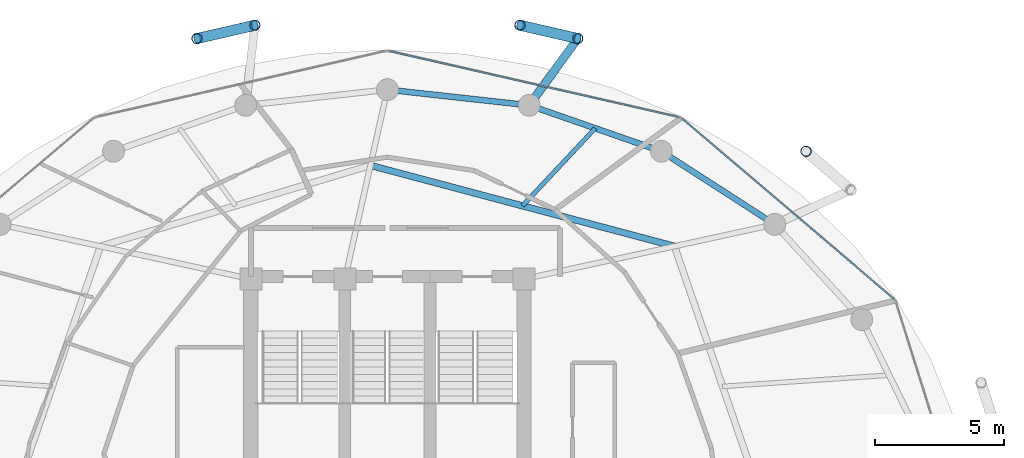
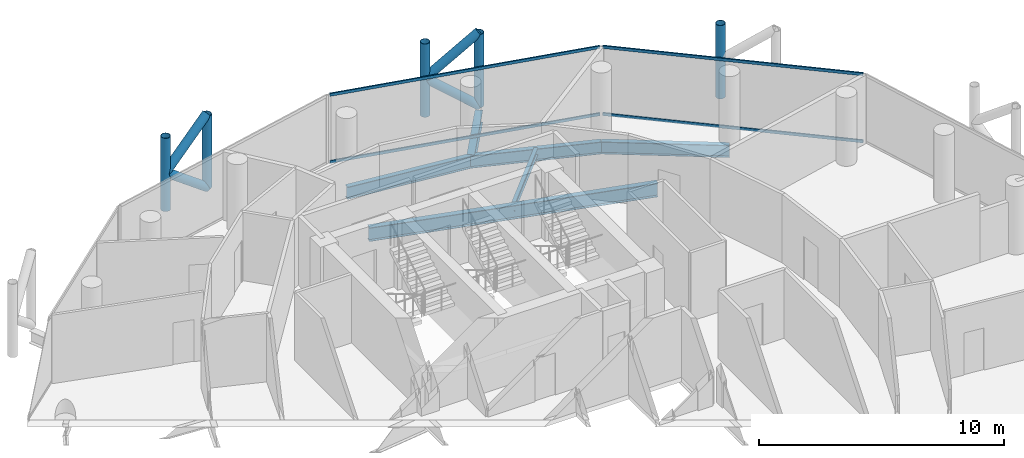
# One storey, part 20 of 27: 13 members, 6 beams, 2 elements without a shape of their own.
"""IFC4 building model written with IfcOpenShell, lengths in metres."""

from ifc_helpers import new_model, si_unit, direction, frame, origin, origin_2d, place, context, subcontext, project, spatial, hollow_rectangle, hollow_circle, i_section, extrude, material, layer, layer_set, material_profile, profile_set, type_object, element, aggregate, save


model = new_model("IFC4")

# Units and contexts
model_context = context("Model", 3, precision=1e-05, world=origin(), true_north=direction((0.0, 1.0)))
body_context = subcontext(model_context, "Body", "Model", "MODEL_VIEW")
ifc_project = project(units=[si_unit("LENGTHUNIT", "METRE"), si_unit("AREAUNIT", "SQUARE_METRE"), si_unit("VOLUMEUNIT", "CUBIC_METRE"), si_unit("PLANEANGLEUNIT", "RADIAN"), si_unit("MASSUNIT", "GRAM", prefix="KILO")], contexts=[model_context])

# Site, building, storey
site_placement = place(None, origin())
site = spatial("IfcSite", under=ifc_project, at=site_placement, CompositionType="ELEMENT")
building_placement = place(site_placement, origin())
building = spatial("IfcBuilding", under=site, at=building_placement, Name="Nuhasar Tower", CompositionType="ELEMENT")
storey_placement = place(building_placement, frame((0.0, 0.0, 226.39990234375)))
storey = spatial("IfcBuildingStorey", under=building, at=storey_placement, Name="L55", CompositionType="ELEMENT", Elevation=226.39990234375)

# Beams
ifc_material_1 = material(Name="Steel S355", Category="steel")
ifc_material_profile_1 = material_profile(ifc_material_1, i_section(OverallWidth=0.25390625, OverallDepth=0.68408203125, WebThickness=0.012451171875, FlangeThickness=0.018798828125, at=origin_2d()), Name="W27X94")
ifc_profile_set_1 = profile_set([ifc_material_profile_1], Name="Steel S355")
beam_type_1 = type_object("IfcBeamType", Name="BM-INRING-W27X94", PredefinedType="BEAM", material=ifc_profile_set_1)
beam_1_placement = place(storey_placement, frame((50.135986328125, 38.572998046875, -0.581787109375), z_axis=(-0.966410333243, 0.257004022929, 0.0), x_axis=(-0.257004022929, -0.966410333243, 0.0)))
element("IfcBeam", 1, at=beam_1_placement, inside=storey, type_object=beam_type_1, Name="L55 Inner Header Beam 05", PredefinedType="BEAM", context=body_context, shape_type="SweptSolid", body=[
    extrude(i_section(OverallWidth=0.25390625, OverallDepth=0.68408203125, WebThickness=0.012451171875, FlangeThickness=0.018798828125, at=origin_2d()), origin(), (0.0, 0.0, 1.0), 12.205810546875),
])
ifc_material_profile_2 = material_profile(ifc_material_1, i_section(OverallWidth=0.1708984375, OverallDepth=0.35205078125, WebThickness=0.0068359375, FlangeThickness=0.009765625, at=origin_2d()), Name="W14X30")
ifc_profile_set_2 = profile_set([ifc_material_profile_2], Name="Steel S355")
beam_type_2 = type_object("IfcBeamType", Name="BM-JST-W14X30", PredefinedType="JOIST", material=ifc_profile_set_2)
beam_2_placement = place(storey_placement, frame((44.238037109375, 40.14208984375, -0.416015625), z_axis=(0.684358245116, 0.729145933501, 0.0), x_axis=(-0.729145933501, 0.684358245116, 0.0)))
element("IfcBeam", 2, at=beam_2_placement, inside=storey, type_object=beam_type_2, Name="L55 Secondary Floor Joist 05", PredefinedType="JOIST", context=body_context, shape_type="SweptSolid", body=[
    extrude(i_section(OverallWidth=0.1708984375, OverallDepth=0.35205078125, WebThickness=0.0068359375, FlangeThickness=0.009765625, at=origin_2d()), origin(), (0.0, 0.0, 1.0), 4.12646484375),
])
ifc_material_profile_3 = material_profile(ifc_material_1, i_section(OverallWidth=0.22802734375, OverallDepth=0.60791015625, WebThickness=0.01123046875, FlangeThickness=0.017333984375, at=origin_2d()), Name="W24X76")
ifc_profile_set_3 = profile_set([ifc_material_profile_3], Name="Steel S355")
beam_type_3 = type_object("IfcBeamType", Name="BM-RING-W24X76", PredefinedType="SPANDREL", material=ifc_profile_set_3)
beam_3_placement = place(storey_placement, frame((54.02587890625, 39.422119140625, -0.5439453125), z_axis=(-0.840502144969, 0.541808217272, 0.0), x_axis=(-0.541808217272, -0.840502144969, 0.0)))
element("IfcBeam", 3, at=beam_3_placement, inside=storey, type_object=beam_type_3, Name="L55 Perimeter Ring Spandrel 04", PredefinedType="SPANDREL", context=body_context, shape_type="SweptSolid", body=[
    extrude(i_section(OverallWidth=0.22802734375, OverallDepth=0.60791015625, WebThickness=0.01123046875, FlangeThickness=0.017333984375, at=origin_2d()), origin(), (0.0, 0.0, 1.0), 5.236083984375),
])
beam_4_placement = place(storey_placement, frame((49.625, 42.259033203125, -0.5439453125), z_axis=(-0.944476764686, 0.328578211342, 0.0), x_axis=(-0.328578211342, -0.944476764686, 0.0)))
element("IfcBeam", 4, at=beam_4_placement, inside=storey, type_object=beam_type_3, Name="L55 Perimeter Ring Spandrel 05", PredefinedType="SPANDREL", context=body_context, shape_type="SweptSolid", body=[
    extrude(i_section(OverallWidth=0.22802734375, OverallDepth=0.60791015625, WebThickness=0.01123046875, FlangeThickness=0.017333984375, at=origin_2d()), origin(), (0.0, 0.0, 1.0), 5.42626953125),
])
beam_5_placement = place(storey_placement, frame((44.5, 44.0419921875, -0.5439453125), z_axis=(-0.993947060915, 0.109860093292, 0.0), x_axis=(-0.109860093292, -0.993947060915, 0.0)))
element("IfcBeam", 5, at=beam_5_placement, inside=storey, type_object=beam_type_3, Name="L55 Perimeter Ring Spandrel 06", PredefinedType="SPANDREL", context=body_context, shape_type="SweptSolid", body=[
    extrude(i_section(OverallWidth=0.22802734375, OverallDepth=0.60791015625, WebThickness=0.01123046875, FlangeThickness=0.017333984375, at=origin_2d()), origin(), (0.0, 0.0, 1.0), 5.533447265625),
])
ifc_material_profile_4 = material_profile(ifc_material_1, i_section(OverallWidth=0.323974609375, OverallDepth=0.611083984375, WebThickness=0.0126953125, FlangeThickness=0.01904296875, at=origin_2d()), Name="W24X104")
ifc_profile_set_4 = profile_set([ifc_material_profile_4], Name="Steel S355")
beam_type_4 = type_object("IfcBeamType", Name="BM-TIE-W24X104", PredefinedType="BEAM", material=ifc_profile_set_4)
beam_6_placement = place(storey_placement, frame((44.5, 44.0419921875, -0.544921875), z_axis=(0.588094663461, 0.808792103577, 0.0), x_axis=(-0.808792103577, 0.588094663461, 0.0)))
element("IfcBeam", 6, at=beam_6_placement, inside=storey, type_object=beam_type_4, Name="L55 Exoskeleton Node Tie Beam 03", PredefinedType="BEAM", context=body_context, shape_type="SweptSolid", body=[
    extrude(i_section(OverallWidth=0.323974609375, OverallDepth=0.611083984375, WebThickness=0.0126953125, FlangeThickness=0.01904296875, at=origin_2d()), origin(), (0.0, 0.0, 1.0), 3.20361328125),
])

# Curtain wall, members
ifc_material_2 = material(Name="Aluminium 6063-T6", Category="aluminium")
ifc_layer = layer(ifc_material_2, 0.18994140625)
ifc_layer_set = layer_set([ifc_layer], Name="Aluminium 6063-T6")
curtain_wall_type = type_object("IfcCurtainWallType", Name="CW-Z3-RES", PredefinedType="NOTDEFINED", material=ifc_layer_set)
curtain_wall_1_placement = place(storey_placement, origin())
curtain_wall_1 = element("IfcCurtainWall", 7, at=curtain_wall_1_placement, inside=storey, type_object=curtain_wall_type, Name="L55 Unitised Curtain Wall 02", PredefinedType="NOTDEFINED")
ifc_material_profile_5 = material_profile(ifc_material_2, hollow_rectangle(XDim=0.06494140625, YDim=0.139892578125, WallThickness=0.00439453125, at=origin_2d()), Name="CWT-4")
ifc_profile_set_5 = profile_set([ifc_material_profile_5], Name="Aluminium 6063-T6")
member_type_1 = type_object("IfcMemberType", Name="CW-TRN-S4", PredefinedType="USERDEFINED", material=ifc_profile_set_5)
member_1_placement = place(storey_placement, frame((58.661376953125, 36.522216796875, 0.03271484375), z_axis=(-0.761730809511, 0.647893643928, 0.0), x_axis=(-0.647893643928, -0.761730809511, 0.0)))
member_1 = element("IfcMember", 8, at=member_1_placement, type_object=member_type_1, Name="CW-Z3 transom 1.1", ObjectType="TRANSOM", PredefinedType="USERDEFINED", context=body_context, shape_type="SweptSolid", body=[
    extrude(hollow_rectangle(XDim=0.06494140625, YDim=0.139892578125, WallThickness=0.00439453125, at=origin_2d()), origin(), (0.0, 0.0, 1.0), 10.806884765625),
])
member_2_placement = place(storey_placement, frame((58.661376953125, 36.522216796875, 3.377685546875), z_axis=(-0.761730809511, 0.647893643928, 0.0), x_axis=(-0.647893643928, -0.761730809511, 0.0)))
member_2 = element("IfcMember", 9, at=member_2_placement, type_object=member_type_1, Name="CW-Z3 transom 1.2", ObjectType="TRANSOM", PredefinedType="USERDEFINED", context=body_context, shape_type="SweptSolid", body=[
    extrude(hollow_rectangle(XDim=0.06494140625, YDim=0.139892578125, WallThickness=0.00439453125, at=origin_2d()), origin(), (0.0, 0.0, 1.0), 10.806884765625),
])
aggregate(curtain_wall_1, [member_1, member_2])

curtain_wall_2_placement = place(storey_placement, origin())
curtain_wall_2 = element("IfcCurtainWall", 10, at=curtain_wall_2_placement, inside=storey, type_object=curtain_wall_type, Name="L55 Unitised Curtain Wall 03", PredefinedType="NOTDEFINED")
member_3_placement = place(storey_placement, frame((50.316650390625, 43.58056640625, 0.03271484375), z_axis=(-0.974994070913, 0.222230874732, 0.0), x_axis=(-0.222230874732, -0.974994070913, 0.0)))
member_3 = element("IfcMember", 11, at=member_3_placement, type_object=member_type_1, Name="CW-Z3 transom 1.1", ObjectType="TRANSOM", PredefinedType="USERDEFINED", context=body_context, shape_type="SweptSolid", body=[
    extrude(hollow_rectangle(XDim=0.06494140625, YDim=0.139892578125, WallThickness=0.00439453125, at=origin_2d()), origin(), (0.0, 0.0, 1.0), 11.541748046875),
])
member_4_placement = place(storey_placement, frame((50.316650390625, 43.58056640625, 3.377685546875), z_axis=(-0.974994070913, 0.222230874732, 0.0), x_axis=(-0.222230874732, -0.974994070913, 0.0)))
member_4 = element("IfcMember", 12, at=member_4_placement, type_object=member_type_1, Name="CW-Z3 transom 1.2", ObjectType="TRANSOM", PredefinedType="USERDEFINED", context=body_context, shape_type="SweptSolid", body=[
    extrude(hollow_rectangle(XDim=0.06494140625, YDim=0.139892578125, WallThickness=0.00439453125, at=origin_2d()), origin(), (0.0, 0.0, 1.0), 11.541748046875),
])
aggregate(curtain_wall_2, [member_3, member_4])

# Members
ifc_material_3 = material(Name="Steel S460", Category="steel")
ifc_material_profile_6 = material_profile(ifc_material_3, hollow_circle(Radius=0.203125, WallThickness=0.01904296875, at=origin_2d()), Name="HSS406.4X19.1")
ifc_profile_set_6 = profile_set([ifc_material_profile_6], Name="Steel S460")
member_type_2 = type_object("IfcMemberType", Name="EXO-BRONZE-406", PredefinedType="BRACE", material=ifc_profile_set_6)
for number, where, z_axis, x_axis, name in (
    (13, (55.239990234375, 42.257080078125, 0.0), (0.0, 0.0, 1.0), (1.0, 0.0, 0.0), "L55 Exoskeleton Chord Column EC-02B"),
    (14, (46.384033203125, 46.633056640625, 0.0), (0.0, 0.0, 1.0), (1.0, 0.0, 0.0), "L55 Exoskeleton Chord Column EC-03A"),
    (15, (44.14306640625, 47.14892578125, 0.0), (0.0, 0.0, 1.0), (1.0, 0.0, 0.0), "L55 Exoskeleton Chord Column EC-03B"),
    (16, (33.85693359375, 47.14892578125, 0.0), (0.0, 0.0, 1.0), (1.0, 0.0, 0.0), "L55 Exoskeleton Chord Column EC-04A"),
    (17, (31.615966796875, 46.633056640625, 0.0), (0.0, 0.0, 1.0), (1.0, 0.0, 0.0), "L55 Exoskeleton Chord Column EC-04B"),
):
    element("IfcMember", number, at=place(storey_placement, frame(where, z_axis=z_axis, x_axis=x_axis)), inside=storey, type_object=member_type_2, Name=name, PredefinedType="BRACE", context=body_context, shape_type="SweptSolid", body=[
        extrude(hollow_circle(Radius=0.203125, WallThickness=0.01904296875, at=origin_2d()), origin(), (0.0, 0.0, 1.0), 3.650146484375),
    ])
for number, where, z_axis, x_axis, name in (
    (18, (46.384033203125, 46.633056640625, 0.0), (-0.763303280332, 0.175711932819, 0.621685948771), (-0.224332214284, -0.974512728308, 0.0), "L55 Bronze Diagrid Brace W1-03"),
    (19, (44.14306640625, 47.14892578125, 1.8251953125), (0.763342741922, -0.175721016852, 0.621634927101), (0.224332214284, 0.974512728308, 0.0), "L55 Bronze Diagrid Brace W2-03"),
    (20, (33.85693359375, 47.14892578125, 0.0), (-0.763303280332, -0.175711932819, 0.621685948771), (0.224332214284, -0.974512728308, 0.0), "L55 Bronze Diagrid Brace W1-04"),
    (21, (31.615966796875, 46.633056640625, 1.8251953125), (0.763342741922, 0.175721016852, 0.621634927101), (-0.224332214284, 0.974512728308, 0.0), "L55 Bronze Diagrid Brace W2-04"),
):
    element("IfcMember", number, at=place(storey_placement, frame(where, z_axis=z_axis, x_axis=x_axis)), inside=storey, type_object=member_type_2, Name=name, PredefinedType="BRACE", context=body_context, shape_type="SweptSolid", body=[
        extrude(hollow_circle(Radius=0.203125, WallThickness=0.01904296875, at=origin_2d()), origin(), (0.0, 0.0, 1.0), 2.935791015625),
    ])

save(model, "model.ifc")
